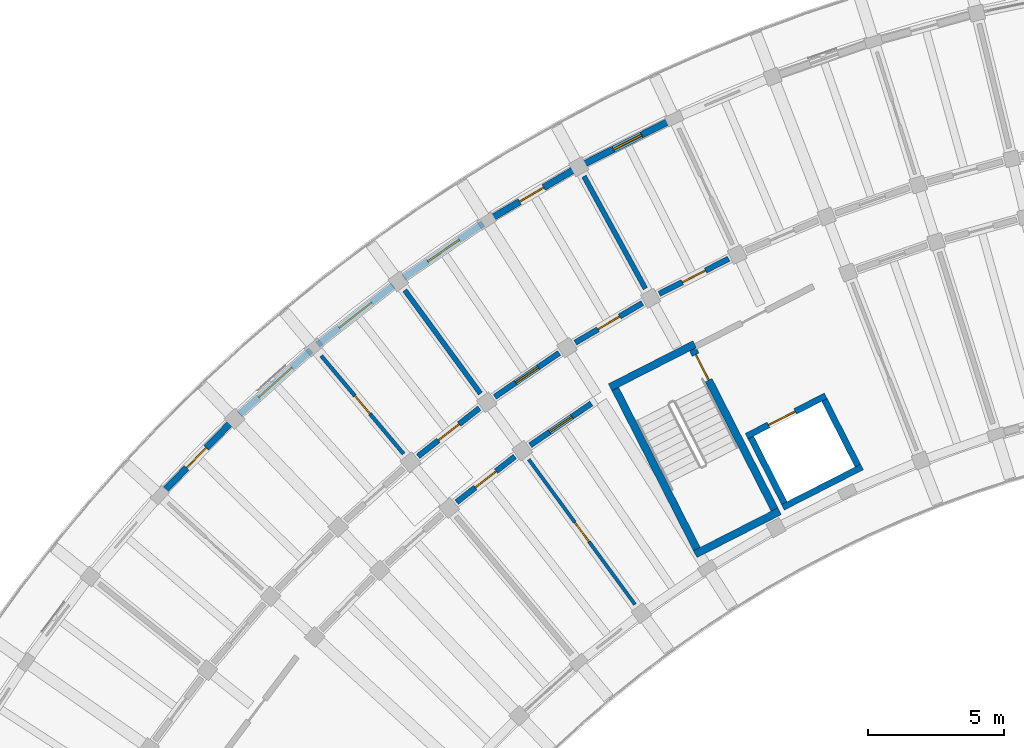
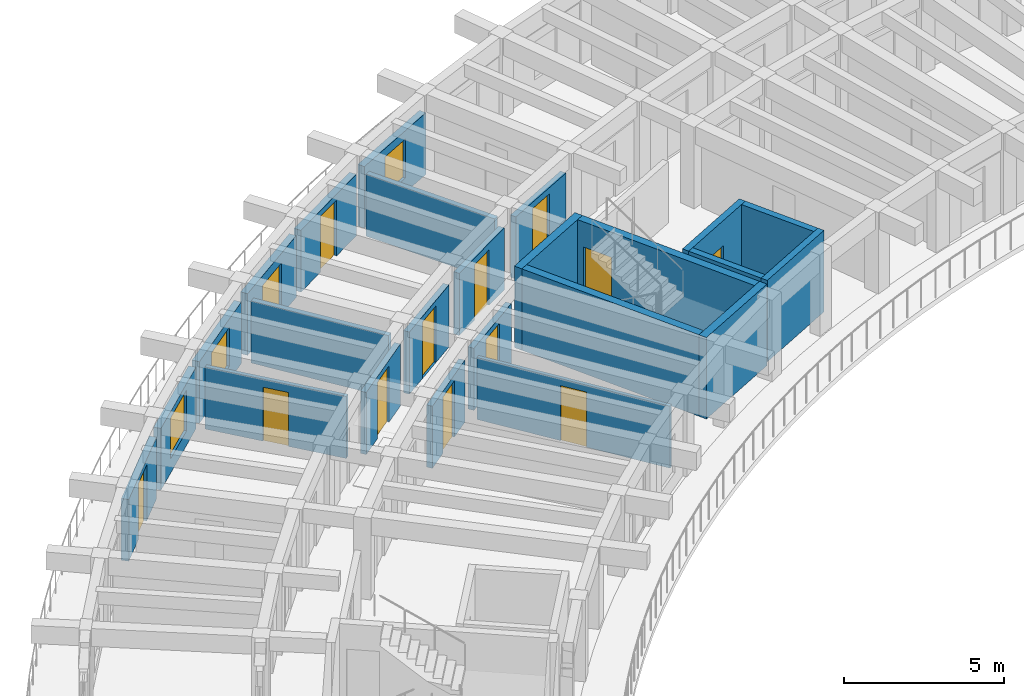
# One storey, part 48 of 81: 24 walls, 12 doors, 4 windows, 16 openings.
"""IFC4 building model written with IfcOpenShell, lengths in metres."""

import ifcopenshell
import ifcopenshell.guid

model = None  # the IFC model being written
_history = None  # IfcOwnerHistory: only IFC2X3 demands one
_inside = {}  # id of a spatial element -> (the spatial element, [elements in it])
_under = {}  # id of a project, library or spatial element -> (it, [spatial elements below it])
_declared = {}  # id of a project -> (the project, [libraries it declares])
_typed = {}  # id of a type object -> (the type object, [elements of that type])
_made_of = {}  # id of a material, layer set ... -> (it, [elements and type objects made of it])


def new_model(schema):
    """Start an empty IFC model of exactly this schema.

    Asked for "IFC4X3", IfcOpenShell would pick the latest addendum, in which some entities
    have other attributes; the version numbers below select the first issue.
    IFC2X3 requires an IfcOwnerHistory on every rooted entity: one is made here for all.
    """
    global model, _history
    if schema == "IFC4X3":
        model = ifcopenshell.file(schema_version=(4, 3, 0, 0))
    else:
        model = ifcopenshell.file(schema=schema)
    _inside.clear()
    _under.clear()
    _declared.clear()
    _typed.clear()
    _made_of.clear()
    _history = None
    if model.schema == "IFC2X3":
        org = make("IfcOrganization", Name="unknown")
        user = make(
            "IfcPersonAndOrganization",
            ThePerson=make("IfcPerson", FamilyName="unknown"),
            TheOrganization=org,
        )
        app = make(
            "IfcApplication",
            ApplicationDeveloper=org,
            Version="unknown",
            ApplicationFullName="unknown",
            ApplicationIdentifier="unknown",
        )
        _history = make(
            "IfcOwnerHistory",
            OwningUser=user,
            OwningApplication=app,
            ChangeAction="ADDED",
            CreationDate=0,
        )
    return model


def make(cls, **values):
    """One entity of the class cls with the attributes given. An attribute that is None is left unset."""
    return model.create_entity(
        cls, **{name: value for name, value in values.items() if value is not None}
    )


def rooted(cls, **values):
    """An entity with a GlobalId (a new one), such as an element, a storey or a relation."""
    return make(cls, GlobalId=ifcopenshell.guid.new(), OwnerHistory=_history, **values)


def si_unit(unit_type, name, prefix=None):
    """IfcSIUnit, for example si_unit("LENGTHUNIT", "METRE", prefix="MILLI")."""
    return make("IfcSIUnit", UnitType=unit_type, Prefix=prefix, Name=name)


def assignment(units):
    """IfcUnitAssignment: the units of a project."""
    return None if units is None else make("IfcUnitAssignment", Units=units)


def point(xyz):
    """IfcCartesianPoint."""
    return None if xyz is None else make("IfcCartesianPoint", Coordinates=xyz)


def direction(xyz):
    """IfcDirection."""
    return None if xyz is None else make("IfcDirection", DirectionRatios=xyz)


def frame(location, z_axis=None, x_axis=None):
    """IfcAxis2Placement3D, a coordinate frame: its origin and axes. An axis left out is left unset."""
    return make(
        "IfcAxis2Placement3D",
        Location=point(location),
        Axis=direction(z_axis),
        RefDirection=direction(x_axis),
    )


def frame_2d(location, x_axis=None):
    """IfcAxis2Placement2D, a coordinate frame in the plane: its origin and x axis."""
    return make(
        "IfcAxis2Placement2D", Location=point(location), RefDirection=direction(x_axis)
    )


def origin():
    """The frame at (0, 0, 0) with its axes left unset."""
    return frame((0.0, 0.0, 0.0))


def place(relative_to, where):
    """IfcLocalPlacement: puts the frame where relative to a parent placement (None: the world)."""
    return make(
        "IfcLocalPlacement", PlacementRelTo=relative_to, RelativePlacement=where
    )


def context(
    kind, dimensions, precision=None, world=None, true_north=None, identifier=None
):
    """IfcGeometricRepresentationContext, for example the 3D "Model" context."""
    return make(
        "IfcGeometricRepresentationContext",
        ContextIdentifier=identifier,
        ContextType=kind,
        CoordinateSpaceDimension=dimensions,
        Precision=precision,
        WorldCoordinateSystem=world,
        TrueNorth=true_north,
    )


def subcontext(parent, identifier, kind, view, scale=None):
    """IfcGeometricRepresentationSubContext, for example "Body" below "Model"."""
    return make(
        "IfcGeometricRepresentationSubContext",
        ContextIdentifier=identifier,
        ContextType=kind,
        ParentContext=parent,
        TargetScale=scale,
        TargetView=view,
    )


def project(units=None, contexts=None):
    """IfcProject with its units and contexts."""
    return rooted(
        "IfcProject",
        Name="project",
        RepresentationContexts=contexts,
        UnitsInContext=assignment(units),
    )


def spatial(cls, under=None, at=None, **own):
    """A site, building, storey or space (cls), placed at a placement, below another one or the project."""
    s = rooted(cls, ObjectPlacement=at, **own)
    if under is not None:
        _under.setdefault(under.id(), (under, []))[1].append(s)
    return s


def profile(cls, at=None, kind="AREA", **sizes):
    """A parametric profile (cls). Its sizes go by their IFC names, for example OverallWidth=200.0."""
    return make(cls, ProfileType=kind, Position=at, **sizes)


def rectangle(**sizes):
    """IfcRectangleProfileDef."""
    return profile("IfcRectangleProfileDef", **sizes)


def extrude(swept, where, along, depth):
    """IfcExtrudedAreaSolid: the profile swept, set in the frame where, extruded along a direction by depth."""
    return make(
        "IfcExtrudedAreaSolid",
        SweptArea=swept,
        Position=where,
        ExtrudedDirection=direction(along),
        Depth=depth,
    )


def shape(context_of_items, identifier, shape_type, items):
    """IfcShapeRepresentation: the items that make up one representation, for example the "Body"."""
    return make(
        "IfcShapeRepresentation",
        ContextOfItems=context_of_items,
        RepresentationIdentifier=identifier,
        RepresentationType=shape_type,
        Items=items,
    )


def material(Name=None, Category=None):
    """IfcMaterial."""
    return make("IfcMaterial", Name=Name, Category=Category)


def layer(
    of_material, thickness, ventilated=None, Name=None, Category=None, Priority=None
):
    """IfcMaterialLayer: one layer of a wall or slab, of a material (None: an air gap)."""
    return make(
        "IfcMaterialLayer",
        Material=of_material,
        LayerThickness=thickness,
        IsVentilated=ventilated,
        Name=Name,
        Category=Category,
        Priority=Priority,
    )


def layer_set(layers, Name=None):
    """IfcMaterialLayerSet."""
    return make("IfcMaterialLayerSet", MaterialLayers=layers, LayerSetName=Name)


def made_of(thing, what):
    """Note that an element or type object is made of a material, layer set ...; save() writes the relation."""
    if what is not None:
        _made_of.setdefault(what.id(), (what, []))[1].append(thing)
    return thing


def type_object(cls, material=None, **own):
    """A type object (cls), such as IfcWallType, which elements share."""
    return made_of(rooted(cls, **own), material)


def element(
    cls,
    number,
    at=None,
    inside=None,
    cuts=None,
    type_object=None,
    material=None,
    context=None,
    identifier="Body",
    shape_type=None,
    held_by="IfcProductDefinitionShape",
    body=None,
    shapes=None,
    **own,
):
    """One element of the class cls, such as IfcWall. Its Tag is "e" and its number.

    at: its placement. inside: the storey or other place that contains it. cuts: it is an
    opening in that element (IfcRelVoidsElement). A single representation is given by context,
    identifier, shape_type and body (its items); several are given by shapes. held_by: the class
    of the entity that holds the representations. save() writes the other relations.
    """
    e = rooted(cls, Tag="e%d" % number, ObjectPlacement=at, **own)
    if body is not None:
        shapes = [shape(context, identifier, shape_type, body)]
    if shapes is not None:
        e.Representation = make(held_by, Representations=shapes)
    if inside is not None:
        _inside.setdefault(inside.id(), (inside, []))[1].append(e)
    if cuts is not None:
        rooted(
            "IfcRelVoidsElement", RelatingBuildingElement=cuts, RelatedOpeningElement=e
        )
    if type_object is not None:
        _typed.setdefault(type_object.id(), (type_object, []))[1].append(e)
    return made_of(e, material)


def fill(opening, filler):
    """IfcRelFillsElement: the door or window that sits in an opening."""
    return rooted(
        "IfcRelFillsElement",
        RelatingOpeningElement=opening,
        RelatedBuildingElement=filler,
    )


def aggregate(whole, parts):
    """IfcRelAggregates: a whole, such as a stair, and the parts it consists of."""
    return rooted("IfcRelAggregates", RelatingObject=whole, RelatedObjects=parts)


def save(model, path):
    """Write the relations noted so far, then the file.

    IfcRelAggregates (storeys below a building ...), IfcRelContainedInSpatialStructure (elements
    in a storey), IfcRelDefinesByType, IfcRelAssociatesMaterial and IfcRelDeclares: one each for
    every whole, place, type object, material and project.
    """
    for whole, parts in _under.values():
        aggregate(whole, parts)
    for where, things in _inside.values():
        rooted(
            "IfcRelContainedInSpatialStructure",
            RelatedElements=things,
            RelatingStructure=where,
        )
    for kind, things in _typed.values():
        rooted("IfcRelDefinesByType", RelatedObjects=things, RelatingType=kind)
    for what, things in _made_of.values():
        rooted("IfcRelAssociatesMaterial", RelatedObjects=things, RelatingMaterial=what)
    for by, libraries in _declared.values():
        rooted("IfcRelDeclares", RelatingContext=by, RelatedDefinitions=libraries)
    model.write(path)


model = new_model("IFC4")

# Units and contexts
model_context = context("Model", 3, precision=1e-05, world=origin(), true_north=direction((0.0, 1.0)))
body_context = subcontext(model_context, "Body", "Model", "MODEL_VIEW")
ifc_project = project(units=[si_unit("LENGTHUNIT", "METRE"), si_unit("AREAUNIT", "SQUARE_METRE"), si_unit("VOLUMEUNIT", "CUBIC_METRE"), si_unit("PLANEANGLEUNIT", "RADIAN"), si_unit("MASSUNIT", "GRAM", prefix="KILO")], contexts=[model_context])

# Site, building, storey
site_placement = place(None, origin())
site = spatial("IfcSite", under=ifc_project, at=site_placement, CompositionType="ELEMENT")
building_placement = place(site_placement, origin())
building = spatial("IfcBuilding", under=site, at=building_placement, Name="Tanwirah Colonnade Gardens", CompositionType="ELEMENT")
storey_placement = place(building_placement, frame((0.0, 0.0, 18.919921875)))
storey = spatial("IfcBuildingStorey", under=building, at=storey_placement, Name="L05", CompositionType="ELEMENT", Elevation=18.919921875)

# Wall, opening, window
ifc_material_1 = material(Name="Limestone architectural precast concrete C40/50", Category="masonry")
ifc_layer_1 = layer(ifc_material_1, 0.2451171875)
ifc_layer_set_1 = layer_set([ifc_layer_1], Name="Limestone architectural precast concrete C40/50")
wall_type_1 = type_object("IfcWallType", Name="EW-PC245", PredefinedType="SOLIDWALL", material=ifc_layer_set_1)
wall_1_placement = place(storey_placement, frame((39.794921875, 114.147216796875, 0.0), z_axis=(0.0, 0.0, 1.0), x_axis=(-0.892756700232, -0.450539092855, 0.0)))
wall_1 = element("IfcWall", 1, at=wall_1_placement, inside=storey, type_object=wall_type_1, Name="Block A L05 OUT Precast Facade Wall 5", PredefinedType="SOLIDWALL", context=body_context, shape_type="SweptSolid", body=[
    extrude(rectangle(XDim=3.520751953125, YDim=0.2451171875, at=frame_2d((1.76025390625, 0.0))), origin(), (0.0, 0.0, 1.0), 2.35498046875),
])
opening_1_placement = place(wall_1_placement, frame((1.180419921875, 0.0, 0.550048828125)))
opening_1 = element("IfcOpeningElement", 2, at=opening_1_placement, cuts=wall_1, Name="Opening WIN-U01", PredefinedType="OPENING", context=body_context, shape_type="SweptSolid", body=[
    extrude(rectangle(XDim=1.159912109375, YDim=1.485107421875, at=frame_2d((0.580078125, 0.74267578125))), frame((0.0, 0.132568359375, 0.0), z_axis=(0.0, -1.0, 0.0), x_axis=(1.0, 0.0, 0.0)), (0.0, 0.0, 1.0), 0.26513671875),
])
ifc_material_2 = material(Name="Thermally broken bronze aluminium and solar low-E double glazing", Category="aluminium")
window_type_1 = type_object("IfcWindowType", Name="WIN-U01", PartitioningType="DOUBLE_PANEL_VERTICAL", PredefinedType="WINDOW", material=ifc_material_2)
window_1_placement = place(opening_1_placement, origin())
window_1 = element("IfcWindow", 3, at=window_1_placement, inside=storey, type_object=window_type_1, Name="Facade window A-L05-OUT-05", OverallHeight=1.485107421875, OverallWidth=1.159912109375, PartitioningType="SINGLE_PANEL", PredefinedType="WINDOW", context=body_context, shape_type="SweptSolid", body=[
    extrude(rectangle(XDim=1.159912109375, YDim=1.485107421875, at=frame_2d((0.580078125, 0.74267578125))), frame((0.0, 0.030029296875, 0.0), z_axis=(0.0, -1.0, 0.0), x_axis=(1.0, 0.0, 0.0)), (0.0, 0.0, 1.0), 0.06005859375),
])
fill(opening_1, window_1)

# Wall, opening, door
wall_2_placement = place(storey_placement, frame((36.22216796875, 112.326171875, 0.0), z_axis=(0.0, 0.0, 1.0), x_axis=(-0.861154218161, -0.50834379365, 0.0)))
wall_2 = element("IfcWall", 4, at=wall_2_placement, inside=storey, type_object=wall_type_1, Name="Block A L05 OUT Precast Facade Wall 6", PredefinedType="SOLIDWALL", context=body_context, shape_type="SweptSolid", body=[
    extrude(rectangle(XDim=3.520751953125, YDim=0.2451171875, at=frame_2d((1.76025390625, 0.0))), origin(), (0.0, 0.0, 1.0), 2.35498046875),
])
opening_2_placement = place(wall_2_placement, frame((1.250244140625, 0.0, 0.0)))
opening_2 = element("IfcOpeningElement", 5, at=opening_2_placement, cuts=wall_2, Name="Opening L05-ED024", PredefinedType="OPENING", context=body_context, shape_type="SweptSolid", body=[
    extrude(rectangle(XDim=1.02001953125, YDim=2.139892578125, at=frame_2d((0.510009765625, 1.06982421875))), frame((0.0, 0.132568359375, 0.0), z_axis=(0.0, -1.0, 0.0), x_axis=(1.0, 0.0, 0.0)), (0.0, 0.0, 1.0), 0.26513671875),
])
ifc_material_3 = material(Name="Bronze aluminium glazed balcony door", Category="aluminium")
door_type_1 = type_object("IfcDoorType", Name="ED-BAL102", OperationType="NOTDEFINED", PredefinedType="DOOR", material=ifc_material_3)
door_1_placement = place(opening_2_placement, origin())
door_1 = element("IfcDoor", 6, at=door_1_placement, inside=storey, type_object=door_type_1, Name="Balcony glazed door L05-ED024", OperationType="SINGLE_SWING_RIGHT", OverallHeight=2.139892578125, OverallWidth=1.02001953125, PredefinedType="DOOR", context=body_context, shape_type="SweptSolid", body=[
    extrude(rectangle(XDim=1.02001953125, YDim=2.139892578125, at=frame_2d((0.510009765625, 1.06982421875))), frame((0.0, 0.02490234375, 0.0), z_axis=(0.0, -1.0, 0.0), x_axis=(1.0, 0.0, 0.0)), (0.0, 0.0, 1.0), 0.050048828125),
])
fill(opening_2, door_1)

# Wall, opening, window
wall_3_placement = place(storey_placement, frame((32.92041015625, 110.36474609375, 0.0), z_axis=(0.0, 0.0, 1.0), x_axis=(-0.825745840472, -0.56404238045, 0.0)))
wall_3 = element("IfcWall", 7, at=wall_3_placement, inside=storey, type_object=wall_type_1, Name="Block A L05 OUT Precast Facade Wall 7", PredefinedType="SOLIDWALL", context=body_context, shape_type="SweptSolid", body=[
    extrude(rectangle(XDim=3.520751953125, YDim=0.2451171875, at=frame_2d((1.76025390625, 0.0))), origin(), (0.0, 0.0, 1.0), 2.35498046875),
])
opening_3_placement = place(wall_3_placement, frame((1.060302734375, 0.0, 0.35009765625)))
opening_3 = element("IfcOpeningElement", 8, at=opening_3_placement, cuts=wall_3, Name="Opening WIN-U07", PredefinedType="OPENING", context=body_context, shape_type="SweptSolid", body=[
    extrude(rectangle(XDim=1.39990234375, YDim=1.635009765625, at=frame_2d((0.699951171875, 0.8173828125))), frame((0.0, 0.132568359375, 0.0), z_axis=(0.0, -1.0, 0.0), x_axis=(1.0, 0.0, 0.0)), (0.0, 0.0, 1.0), 0.26513671875),
])
window_type_2 = type_object("IfcWindowType", Name="WIN-U07", PartitioningType="DOUBLE_PANEL_VERTICAL", PredefinedType="WINDOW", material=ifc_material_2)
window_2_placement = place(opening_3_placement, origin())
window_2 = element("IfcWindow", 9, at=window_2_placement, inside=storey, type_object=window_type_2, Name="Facade window A-L05-OUT-07", OverallHeight=1.635009765625, OverallWidth=1.39990234375, PartitioningType="SINGLE_PANEL", PredefinedType="WINDOW", context=body_context, shape_type="SweptSolid", body=[
    extrude(rectangle(XDim=1.39990234375, YDim=1.635009765625, at=frame_2d((0.699951171875, 0.8173828125))), frame((0.0, 0.030029296875, 0.0), z_axis=(0.0, -1.0, 0.0), x_axis=(1.0, 0.0, 0.0)), (0.0, 0.0, 1.0), 0.06005859375),
])
fill(opening_3, window_2)

wall_4_placement = place(storey_placement, frame((29.617919921875, 108.089599609375, 0.0), z_axis=(0.0, 0.0, 1.0), x_axis=(-0.786813798172, -0.617190446301, 0.0)))
wall_4 = element("IfcWall", 10, at=wall_4_placement, inside=storey, type_object=wall_type_1, Name="Block A L05 OUT Precast Facade Wall 8", PredefinedType="SOLIDWALL", context=body_context, shape_type="SweptSolid", body=[
    extrude(rectangle(XDim=3.5205078125, YDim=0.2451171875, at=frame_2d((1.76025390625, 0.0))), origin(), (0.0, 0.0, 1.0), 2.35498046875),
])
opening_4_placement = place(wall_4_placement, frame((1.000244140625, 0.0, 0.550048828125)))
opening_4 = element("IfcOpeningElement", 11, at=opening_4_placement, cuts=wall_4, Name="Opening WIN-U10", PredefinedType="OPENING", context=body_context, shape_type="SweptSolid", body=[
    extrude(rectangle(XDim=1.52001953125, YDim=1.485107421875, at=frame_2d((0.760009765625, 0.74267578125))), frame((0.0, 0.132568359375, 0.0), z_axis=(0.0, -1.0, 0.0), x_axis=(1.0, 0.0, 0.0)), (0.0, 0.0, 1.0), 0.26513671875),
])
window_type_3 = type_object("IfcWindowType", Name="WIN-U10", PartitioningType="DOUBLE_PANEL_VERTICAL", PredefinedType="WINDOW", material=ifc_material_2)
window_3_placement = place(opening_4_placement, origin())
window_3 = element("IfcWindow", 12, at=window_3_placement, inside=storey, type_object=window_type_3, Name="Facade window A-L05-OUT-08", OverallHeight=1.485107421875, OverallWidth=1.52001953125, PartitioningType="SINGLE_PANEL", PredefinedType="WINDOW", context=body_context, shape_type="SweptSolid", body=[
    extrude(rectangle(XDim=1.52001953125, YDim=1.485107421875, at=frame_2d((0.760009765625, 0.74267578125))), frame((0.0, 0.030029296875, 0.0), z_axis=(0.0, -1.0, 0.0), x_axis=(1.0, 0.0, 0.0)), (0.0, 0.0, 1.0), 0.06005859375),
])
fill(opening_4, window_3)

wall_5_placement = place(storey_placement, frame((26.602783203125, 105.711181640625, 0.0), z_axis=(0.0, 0.0, 1.0), x_axis=(-0.744413726571, -0.667718656092, 0.0)))
wall_5 = element("IfcWall", 13, at=wall_5_placement, inside=storey, type_object=wall_type_1, Name="Block A L05 OUT Precast Facade Wall 9", PredefinedType="SOLIDWALL", context=body_context, shape_type="SweptSolid", body=[
    extrude(rectangle(XDim=3.520751953125, YDim=0.2451171875, at=frame_2d((1.76025390625, 0.0))), origin(), (0.0, 0.0, 1.0), 2.35498046875),
])
opening_5_placement = place(wall_5_placement, frame((0.940185546875, 0.0, 0.550048828125)))
opening_5 = element("IfcOpeningElement", 14, at=opening_5_placement, cuts=wall_5, Name="Opening WIN-U13", PredefinedType="OPENING", context=body_context, shape_type="SweptSolid", body=[
    extrude(rectangle(XDim=1.639892578125, YDim=1.56005859375, at=frame_2d((0.81982421875, 0.780029296875))), frame((0.0, 0.132568359375, 0.0), z_axis=(0.0, -1.0, 0.0), x_axis=(1.0, 0.0, 0.0)), (0.0, 0.0, 1.0), 0.26513671875),
])
window_type_4 = type_object("IfcWindowType", Name="WIN-U13", PartitioningType="DOUBLE_PANEL_VERTICAL", PredefinedType="WINDOW", material=ifc_material_2)
window_4_placement = place(opening_5_placement, origin())
window_4 = element("IfcWindow", 15, at=window_4_placement, inside=storey, type_object=window_type_4, Name="Facade window A-L05-OUT-09", OverallHeight=1.56005859375, OverallWidth=1.639892578125, PartitioningType="SINGLE_PANEL", PredefinedType="WINDOW", context=body_context, shape_type="SweptSolid", body=[
    extrude(rectangle(XDim=1.639892578125, YDim=1.56005859375, at=frame_2d((0.81982421875, 0.780029296875))), frame((0.0, 0.030029296875, 0.0), z_axis=(0.0, -1.0, 0.0), x_axis=(1.0, 0.0, 0.0)), (0.0, 0.0, 1.0), 0.06005859375),
])
fill(opening_5, window_4)

# Wall, opening, door
wall_6_placement = place(storey_placement, frame((23.62841796875, 103.021484375, 0.0), z_axis=(0.0, 0.0, 1.0), x_axis=(-0.698841852324, -0.715276216186, 0.0)))
wall_6 = element("IfcWall", 16, at=wall_6_placement, inside=storey, type_object=wall_type_1, Name="Block A L05 OUT Precast Facade Wall 10", PredefinedType="SOLIDWALL", context=body_context, shape_type="SweptSolid", body=[
    extrude(rectangle(XDim=3.520751953125, YDim=0.2451171875, at=frame_2d((1.76025390625, 0.0))), origin(), (0.0, 0.0, 1.0), 2.35498046875),
])
opening_6_placement = place(wall_6_placement, frame((1.250244140625, 0.0, 0.0)))
opening_6 = element("IfcOpeningElement", 17, at=opening_6_placement, cuts=wall_6, Name="Opening L05-ED025", PredefinedType="OPENING", context=body_context, shape_type="SweptSolid", body=[
    extrude(rectangle(XDim=1.02001953125, YDim=2.139892578125, at=frame_2d((0.510009765625, 1.06982421875))), frame((0.0, 0.132568359375, 0.0), z_axis=(0.0, -1.0, 0.0), x_axis=(1.0, 0.0, 0.0)), (0.0, 0.0, 1.0), 0.26513671875),
])
door_2_placement = place(opening_6_placement, origin())
door_2 = element("IfcDoor", 18, at=door_2_placement, inside=storey, type_object=door_type_1, Name="Balcony glazed door L05-ED025", OperationType="SINGLE_SWING_RIGHT", OverallHeight=2.139892578125, OverallWidth=1.02001953125, PredefinedType="DOOR", context=body_context, shape_type="SweptSolid", body=[
    extrude(rectangle(XDim=1.02001953125, YDim=2.139892578125, at=frame_2d((0.510009765625, 1.06982421875))), frame((0.0, 0.02490234375, 0.0), z_axis=(0.0, -1.0, 0.0), x_axis=(1.0, 0.0, 0.0)), (0.0, 0.0, 1.0), 0.050048828125),
])
fill(opening_6, door_2)

ifc_material_4 = material(Name="Precast concrete C40/50", Category="concrete")
ifc_layer_2 = layer(ifc_material_4, 0.205078125)
ifc_layer_set_2 = layer_set([ifc_layer_2], Name="Precast concrete C40/50")
wall_type_2 = type_object("IfcWallType", Name="IW-CORR205", PredefinedType="PARTITIONING", material=ifc_layer_set_2)
wall_7_placement = place(storey_placement, frame((41.93994140625, 109.072509765625, 0.0), z_axis=(0.0, 0.0, 1.0), x_axis=(-0.89273239336, -0.450587254419, 0.0)))
wall_7 = element("IfcWall", 19, at=wall_7_placement, inside=storey, type_object=wall_type_2, Name="Block A L05 OUT Corridor Wall 5", PredefinedType="PARTITIONING", context=body_context, shape_type="SweptSolid", body=[
    extrude(rectangle(XDim=2.863037109375, YDim=0.205078125, at=frame_2d((1.431640625, 0.0))), origin(), (0.0, 0.0, 1.0), 2.3701171875),
])
opening_7_placement = place(wall_7_placement, frame((0.95654296875, 0.0, 0.0)))
opening_7 = element("IfcOpeningElement", 20, at=opening_7_placement, cuts=wall_7, Name="Opening L05-AD444", PredefinedType="OPENING", context=body_context, shape_type="SweptSolid", body=[
    extrude(rectangle(XDim=0.949951171875, YDim=2.1298828125, at=frame_2d((0.47509765625, 1.06494140625))), frame((0.0, 0.112548828125, 0.0), z_axis=(0.0, -1.0, 0.0), x_axis=(1.0, 0.0, 0.0)), (0.0, 0.0, 1.0), 0.22509765625),
])
ifc_material_5 = material(Name="Solid oak fire-resisting apartment entrance door")
door_type_2 = type_object("IfcDoorType", Name="ID-FLT095", OperationType="NOTDEFINED", PredefinedType="DOOR", material=ifc_material_5)
door_3_placement = place(opening_7_placement, origin())
door_3 = element("IfcDoor", 21, at=door_3_placement, inside=storey, type_object=door_type_2, Name="Apartment corridor door L05-AD444", OperationType="SINGLE_SWING_LEFT", OverallHeight=2.1298828125, OverallWidth=0.949951171875, PredefinedType="DOOR", context=body_context, shape_type="SweptSolid", body=[
    extrude(rectangle(XDim=0.949951171875, YDim=2.1298828125, at=frame_2d((0.47509765625, 1.06494140625))), frame((0.0, 0.02490234375, 0.0), z_axis=(0.0, -1.0, 0.0), x_axis=(1.0, 0.0, 0.0)), (0.0, 0.0, 1.0), 0.050048828125),
])
fill(opening_7, door_3)

wall_8_placement = place(storey_placement, frame((38.77001953125, 107.447021484375, 0.0), z_axis=(0.0, 0.0, 1.0), x_axis=(-0.861113214678, -0.508413248753, 0.0)))
wall_8 = element("IfcWall", 22, at=wall_8_placement, inside=storey, type_object=wall_type_2, Name="Block A L05 OUT Corridor Wall 6", PredefinedType="PARTITIONING", context=body_context, shape_type="SweptSolid", body=[
    extrude(rectangle(XDim=2.863037109375, YDim=0.205078125, at=frame_2d((1.431640625, 0.0))), origin(), (0.0, 0.0, 1.0), 2.3701171875),
])
opening_8_placement = place(wall_8_placement, frame((0.966552734375, 0.0, 0.0)))
opening_8 = element("IfcOpeningElement", 23, at=opening_8_placement, cuts=wall_8, Name="Opening L05-AD445", PredefinedType="OPENING", context=body_context, shape_type="SweptSolid", body=[
    extrude(rectangle(XDim=0.929931640625, YDim=2.1201171875, at=frame_2d((0.46484375, 1.06005859375))), frame((0.0, 0.112548828125, 0.0), z_axis=(0.0, -1.0, 0.0), x_axis=(1.0, 0.0, 0.0)), (0.0, 0.0, 1.0), 0.22509765625),
])
door_type_3 = type_object("IfcDoorType", Name="ID-FLT093", OperationType="NOTDEFINED", PredefinedType="DOOR", material=ifc_material_5)
door_4_placement = place(opening_8_placement, origin())
door_4 = element("IfcDoor", 24, at=door_4_placement, inside=storey, type_object=door_type_3, Name="Apartment corridor door L05-AD445", OperationType="SINGLE_SWING_RIGHT", OverallHeight=2.1201171875, OverallWidth=0.929931640625, PredefinedType="DOOR", context=body_context, shape_type="SweptSolid", body=[
    extrude(rectangle(XDim=0.929931640625, YDim=2.1201171875, at=frame_2d((0.46484375, 1.06005859375))), frame((0.0, 0.02490234375, 0.0), z_axis=(0.0, -1.0, 0.0), x_axis=(1.0, 0.0, 0.0)), (0.0, 0.0, 1.0), 0.050048828125),
])
fill(opening_8, door_4)

wall_9_placement = place(storey_placement, frame((35.714111328125, 105.615966796875, 0.0), z_axis=(0.0, 0.0, 1.0), x_axis=(-0.825779671787, -0.563992848947, 0.0)))
wall_9 = element("IfcWall", 25, at=wall_9_placement, inside=storey, type_object=wall_type_2, Name="Block A L05 OUT Corridor Wall 7", PredefinedType="PARTITIONING", context=body_context, shape_type="SweptSolid", body=[
    extrude(rectangle(XDim=2.863037109375, YDim=0.205078125, at=frame_2d((1.431640625, 0.0))), origin(), (0.0, 0.0, 1.0), 2.3701171875),
])
opening_9_placement = place(wall_9_placement, frame((0.9365234375, 0.0, 0.0)))
opening_9 = element("IfcOpeningElement", 26, at=opening_9_placement, cuts=wall_9, Name="Opening L05-AD446", PredefinedType="OPENING", context=body_context, shape_type="SweptSolid", body=[
    extrude(rectangle(XDim=0.989990234375, YDim=2.159912109375, at=frame_2d((0.4951171875, 1.080078125))), frame((0.0, 0.112548828125, 0.0), z_axis=(0.0, -1.0, 0.0), x_axis=(1.0, 0.0, 0.0)), (0.0, 0.0, 1.0), 0.22509765625),
])
door_type_4 = type_object("IfcDoorType", Name="ID-FLT099", OperationType="NOTDEFINED", PredefinedType="DOOR", material=ifc_material_5)
door_5_placement = place(opening_9_placement, origin())
door_5 = element("IfcDoor", 27, at=door_5_placement, inside=storey, type_object=door_type_4, Name="Apartment corridor door L05-AD446", OperationType="SINGLE_SWING_LEFT", OverallHeight=2.159912109375, OverallWidth=0.989990234375, PredefinedType="DOOR", context=body_context, shape_type="SweptSolid", body=[
    extrude(rectangle(XDim=0.989990234375, YDim=2.159912109375, at=frame_2d((0.4951171875, 1.080078125))), frame((0.0, 0.02490234375, 0.0), z_axis=(0.0, -1.0, 0.0), x_axis=(1.0, 0.0, 0.0)), (0.0, 0.0, 1.0), 0.050048828125),
])
fill(opening_9, door_5)

wall_10_placement = place(storey_placement, frame((36.89453125, 103.759521484375, 0.0), z_axis=(0.0, 0.0, 1.0), x_axis=(-0.825752009056, -0.56403334967, 0.0)))
wall_10 = element("IfcWall", 28, at=wall_10_placement, inside=storey, type_object=wall_type_2, Name="Block A L05 IN Corridor Wall 7", PredefinedType="PARTITIONING", context=body_context, shape_type="SweptSolid", body=[
    extrude(rectangle(XDim=2.71826171875, YDim=0.205078125, at=frame_2d((1.359130859375, 0.0))), origin(), (0.0, 0.0, 1.0), 2.3701171875),
])
opening_10_placement = place(wall_10_placement, frame((0.864013671875, 0.0, 0.0)))
opening_10 = element("IfcOpeningElement", 29, at=opening_10_placement, cuts=wall_10, Name="Opening L05-AD447", PredefinedType="OPENING", context=body_context, shape_type="SweptSolid", body=[
    extrude(rectangle(XDim=0.989990234375, YDim=2.159912109375, at=frame_2d((0.4951171875, 1.080078125))), frame((0.0, 0.112548828125, 0.0), z_axis=(0.0, -1.0, 0.0), x_axis=(1.0, 0.0, 0.0)), (0.0, 0.0, 1.0), 0.22509765625),
])
door_6_placement = place(opening_10_placement, origin())
door_6 = element("IfcDoor", 30, at=door_6_placement, inside=storey, type_object=door_type_4, Name="Apartment corridor door L05-AD447", OperationType="SINGLE_SWING_RIGHT", OverallHeight=2.159912109375, OverallWidth=0.989990234375, PredefinedType="DOOR", context=body_context, shape_type="SweptSolid", body=[
    extrude(rectangle(XDim=0.989990234375, YDim=2.159912109375, at=frame_2d((0.4951171875, 1.080078125))), frame((0.0, 0.02490234375, 0.0), z_axis=(0.0, -1.0, 0.0), x_axis=(1.0, 0.0, 0.0)), (0.0, 0.0, 1.0), 0.050048828125),
])
fill(opening_10, door_6)

wall_11_placement = place(storey_placement, frame((32.785400390625, 103.587890625, 0.0), z_axis=(0.0, 0.0, 1.0), x_axis=(-0.786806323554, -0.617199975061, 0.0)))
wall_11 = element("IfcWall", 31, at=wall_11_placement, inside=storey, type_object=wall_type_2, Name="Block A L05 OUT Corridor Wall 8", PredefinedType="PARTITIONING", context=body_context, shape_type="SweptSolid", body=[
    extrude(rectangle(XDim=2.863037109375, YDim=0.205078125, at=frame_2d((1.431640625, 0.0))), origin(), (0.0, 0.0, 1.0), 2.3701171875),
])
opening_11_placement = place(wall_11_placement, frame((0.946533203125, 0.0, 0.0)))
opening_11 = element("IfcOpeningElement", 32, at=opening_11_placement, cuts=wall_11, Name="Opening L05-AD449", PredefinedType="OPENING", context=body_context, shape_type="SweptSolid", body=[
    extrude(rectangle(XDim=0.969970703125, YDim=2.14990234375, at=frame_2d((0.48486328125, 1.074951171875))), frame((0.0, 0.112548828125, 0.0), z_axis=(0.0, -1.0, 0.0), x_axis=(1.0, 0.0, 0.0)), (0.0, 0.0, 1.0), 0.22509765625),
])
door_type_5 = type_object("IfcDoorType", Name="ID-FLT097", OperationType="NOTDEFINED", PredefinedType="DOOR", material=ifc_material_5)
door_7_placement = place(opening_11_placement, origin())
door_7 = element("IfcDoor", 33, at=door_7_placement, inside=storey, type_object=door_type_5, Name="Apartment corridor door L05-AD449", OperationType="SINGLE_SWING_RIGHT", OverallHeight=2.14990234375, OverallWidth=0.969970703125, PredefinedType="DOOR", context=body_context, shape_type="SweptSolid", body=[
    extrude(rectangle(XDim=0.969970703125, YDim=2.14990234375, at=frame_2d((0.48486328125, 1.074951171875))), frame((0.0, 0.02490234375, 0.0), z_axis=(0.0, -1.0, 0.0), x_axis=(1.0, 0.0, 0.0)), (0.0, 0.0, 1.0), 0.050048828125),
])
fill(opening_11, door_7)

wall_12_placement = place(storey_placement, frame((34.08544921875, 101.81298828125, 0.0), z_axis=(0.0, 0.0, 1.0), x_axis=(-0.786835457019, -0.617162833924, 0.0)))
wall_12 = element("IfcWall", 34, at=wall_12_placement, inside=storey, type_object=wall_type_2, Name="Block A L05 IN Corridor Wall 8", PredefinedType="PARTITIONING", context=body_context, shape_type="SweptSolid", body=[
    extrude(rectangle(XDim=2.718017578125, YDim=0.205078125, at=frame_2d((1.35888671875, 0.0))), origin(), (0.0, 0.0, 1.0), 2.3701171875),
])
opening_12_placement = place(wall_12_placement, frame((0.8740234375, 0.0, 0.0)))
opening_12 = element("IfcOpeningElement", 35, at=opening_12_placement, cuts=wall_12, Name="Opening L05-AD450", PredefinedType="OPENING", context=body_context, shape_type="SweptSolid", body=[
    extrude(rectangle(XDim=0.969970703125, YDim=2.14990234375, at=frame_2d((0.48486328125, 1.074951171875))), frame((0.0, 0.112548828125, 0.0), z_axis=(0.0, -1.0, 0.0), x_axis=(1.0, 0.0, 0.0)), (0.0, 0.0, 1.0), 0.22509765625),
])
door_8_placement = place(opening_12_placement, origin())
door_8 = element("IfcDoor", 36, at=door_8_placement, inside=storey, type_object=door_type_5, Name="Apartment corridor door L05-AD450", OperationType="SINGLE_SWING_LEFT", OverallHeight=2.14990234375, OverallWidth=0.969970703125, PredefinedType="DOOR", context=body_context, shape_type="SweptSolid", body=[
    extrude(rectangle(XDim=0.969970703125, YDim=2.14990234375, at=frame_2d((0.48486328125, 1.074951171875))), frame((0.0, 0.02490234375, 0.0), z_axis=(0.0, -1.0, 0.0), x_axis=(1.0, 0.0, 0.0)), (0.0, 0.0, 1.0), 0.050048828125),
])
fill(opening_12, door_8)

# Walls
ifc_layer_3 = layer(ifc_material_4, 0.18505859375)
ifc_layer_set_3 = layer_set([ifc_layer_3], Name="Precast concrete C40/50")
wall_type_3 = type_object("IfcWallType", Name="IW-DEM185", PredefinedType="PARTITIONING", material=ifc_layer_set_3)
wall_13_placement = place(storey_placement, frame((38.879638671875, 107.975830078125, 0.0), z_axis=(0.0, 0.0, 1.0), x_axis=(-0.479721743761, 0.877420679357, 0.0)))
element("IfcWall", 37, at=wall_13_placement, inside=storey, type_object=wall_type_3, Name="Block A L05 Radial Partition 5", PredefinedType="PARTITIONING", context=body_context, shape_type="SweptSolid", body=[
    extrude(rectangle(XDim=4.699951171875, YDim=0.18505859375, at=frame_2d((2.35009765625, 0.0))), origin(), (0.0, 0.0, 1.0), 2.3701171875),
])
wall_14_placement = place(storey_placement, frame((32.824462890625, 104.12646484375, 0.0), z_axis=(0.0, 0.0, 1.0), x_axis=(-0.590910940129, 0.806736797745, 0.0)))
element("IfcWall", 38, at=wall_14_placement, inside=storey, type_object=wall_type_3, Name="Block A L05 Radial Partition 7", PredefinedType="PARTITIONING", context=body_context, shape_type="SweptSolid", body=[
    extrude(rectangle(XDim=4.7001953125, YDim=0.18505859375, at=frame_2d((2.35009765625, 0.0))), origin(), (0.0, 0.0, 1.0), 2.3701171875),
])

# Wall, opening, door
ifc_material_6 = material(Name="Moisture-resistant gypsum stud partition")
ifc_layer_4 = layer(ifc_material_6, 0.125)
ifc_layer_set_4 = layer_set([ifc_layer_4], Name="Moisture-resistant gypsum stud partition")
wall_type_4 = type_object("IfcWallType", Name="IW-INT125", PredefinedType="PARTITIONING", material=ifc_layer_set_4)
wall_15_placement = place(storey_placement, frame((38.497314453125, 96.3818359375, 0.0), z_axis=(0.0, 0.0, 1.0), x_axis=(-0.590924179316, 0.806727100263, 0.0)))
wall_15 = element("IfcWall", 39, at=wall_15_placement, inside=storey, type_object=wall_type_4, Name="Block A L05 Inner Radial Partition 7", PredefinedType="PARTITIONING", context=body_context, shape_type="SweptSolid", body=[
    extrude(rectangle(XDim=6.60009765625, YDim=0.125, at=frame_2d((3.300048828125, 0.0))), origin(), (0.0, 0.0, 1.0), 2.3701171875),
])
opening_13_placement = place(wall_15_placement, frame((2.85498046875, 0.0, 0.0)))
opening_13 = element("IfcOpeningElement", 40, at=opening_13_placement, cuts=wall_15, Name="Opening L05-RD448", PredefinedType="OPENING", context=body_context, shape_type="SweptSolid", body=[
    extrude(rectangle(XDim=0.889892578125, YDim=2.10009765625, at=frame_2d((0.44482421875, 1.050048828125))), frame((0.0, 0.072509765625, 0.0), z_axis=(0.0, -1.0, 0.0), x_axis=(1.0, 0.0, 0.0)), (0.0, 0.0, 1.0), 0.14501953125),
])
ifc_material_7 = material(Name="Painted hardwood bedroom door", Category="wood")
door_type_6 = type_object("IfcDoorType", Name="ID-RM089", OperationType="NOTDEFINED", PredefinedType="DOOR", material=ifc_material_7)
door_9_placement = place(opening_13_placement, origin())
door_9 = element("IfcDoor", 41, at=door_9_placement, inside=storey, type_object=door_type_6, Name="Internal apartment door L05-RD448", OperationType="SINGLE_SWING_RIGHT", OverallHeight=2.10009765625, OverallWidth=0.889892578125, PredefinedType="DOOR", context=body_context, shape_type="SweptSolid", body=[
    extrude(rectangle(XDim=0.889892578125, YDim=2.10009765625, at=frame_2d((0.44482421875, 1.050048828125))), frame((0.0, 0.02490234375, 0.0), z_axis=(0.0, -1.0, 0.0), x_axis=(1.0, 0.0, 0.0)), (0.0, 0.0, 1.0), 0.050048828125),
])
fill(opening_13, door_9)

ifc_material_8 = material(Name="Water-resistant acoustic plumbing partition")
ifc_layer_5 = layer(ifc_material_8, 0.139892578125)
ifc_layer_set_5 = layer_set([ifc_layer_5], Name="Water-resistant acoustic plumbing partition")
wall_type_5 = type_object("IfcWallType", Name="IW-WET140", PredefinedType="PLUMBINGWALL", material=ifc_layer_set_5)
wall_16_placement = place(storey_placement, frame((30.000244140625, 101.9111328125, 0.0), z_axis=(0.0, 0.0, 1.0), x_axis=(-0.642811926223, 0.766024038465, 0.0)))
wall_16 = element("IfcWall", 42, at=wall_16_placement, inside=storey, type_object=wall_type_5, Name="Block A L05 Radial Partition 8", PredefinedType="PLUMBINGWALL", context=body_context, shape_type="SweptSolid", body=[
    extrude(rectangle(XDim=4.699951171875, YDim=0.139892578125, at=frame_2d((2.35009765625, 0.0))), origin(), (0.0, 0.0, 1.0), 2.3701171875),
])
opening_14_placement = place(wall_16_placement, frame((1.919921875, 0.0, 0.0)))
opening_14 = element("IfcOpeningElement", 43, at=opening_14_placement, cuts=wall_16, Name="Opening L05-RD451", PredefinedType="OPENING", context=body_context, shape_type="SweptSolid", body=[
    extrude(rectangle(XDim=0.860107421875, YDim=2.06005859375, at=frame_2d((0.43017578125, 1.030029296875))), frame((0.0, 0.079833984375, 0.0), z_axis=(0.0, -1.0, 0.0), x_axis=(1.0, 0.0, 0.0)), (0.0, 0.0, 1.0), 0.159912109375),
])
ifc_material_9 = material(Name="Moisture-resistant bathroom door")
door_type_7 = type_object("IfcDoorType", Name="ID-WET086", OperationType="NOTDEFINED", PredefinedType="DOOR", material=ifc_material_9)
door_10_placement = place(opening_14_placement, origin())
door_10 = element("IfcDoor", 44, at=door_10_placement, inside=storey, type_object=door_type_7, Name="Internal apartment door L05-RD451", OperationType="SINGLE_SWING_RIGHT", OverallHeight=2.06005859375, OverallWidth=0.860107421875, PredefinedType="DOOR", context=body_context, shape_type="SweptSolid", body=[
    extrude(rectangle(XDim=0.860107421875, YDim=2.06005859375, at=frame_2d((0.43017578125, 1.030029296875))), frame((0.0, 0.02490234375, 0.0), z_axis=(0.0, -1.0, 0.0), x_axis=(1.0, 0.0, 0.0)), (0.0, 0.0, 1.0), 0.050048828125),
])
fill(opening_14, door_10)

# Walls
ifc_material_10 = material(Name="Concrete C45/55", Category="concrete")
ifc_layer_6 = layer(ifc_material_10, 0.280029296875)
ifc_layer_set_6 = layer_set([ifc_layer_6], Name="Concrete C45/55")
wall_type_6 = type_object("IfcWallType", Name="SW-CORE280", PredefinedType="SHEAR", material=ifc_layer_set_6)
wall_17_placement = place(storey_placement, frame((37.7734375, 104.295654296875, 0.0), z_axis=(0.0, 0.0, 1.0), x_axis=(0.453992276384, -0.891005618941, 0.0)))
element("IfcWall", 45, at=wall_17_placement, inside=storey, type_object=wall_type_6, Name="CORE-A1 L05 Stair Shaft Shear Wall LEFT", PredefinedType="SHEAR", context=body_context, shape_type="SweptSolid", body=[
    extrude(rectangle(XDim=6.599853515625, YDim=0.280029296875, at=frame_2d((3.2998046875, 0.0))), origin(), (0.0, 0.0, 1.0), 3.110107421875),
])
for number, where, z_axis, x_axis, name in (
    (46, (40.708740234375, 98.2265625, 0.0), (0.0, 0.0, 1.0), (0.891005763861, 0.453991991964, 0.0), "CORE-A1 L05 Stair Shaft Shear Wall FAR"),
    (47, (37.585205078125, 104.356689453125, 0.0), (0.0, 0.0, 1.0), (0.891020222667, 0.453963613958, 0.0), "CORE-A1 L05 Stair Shaft Shear Wall NEAR"),
):
    element("IfcWall", number, at=place(storey_placement, frame(where, z_axis=z_axis, x_axis=x_axis)), inside=storey, type_object=wall_type_6, Name=name, PredefinedType="SHEAR", context=body_context, shape_type="SweptSolid", body=[
        extrude(rectangle(XDim=3.47998046875, YDim=0.280029296875, at=frame_2d((1.739990234375, 0.0))), origin(), (0.0, 0.0, 1.0), 3.110107421875),
    ])

# Wall, opening, door
wall_18_placement = place(storey_placement, frame((40.624755859375, 105.748291015625, 0.0), z_axis=(0.0, 0.0, 1.0), x_axis=(0.453992276384, -0.891005618941, 0.0)))
wall_18 = element("IfcWall", 48, at=wall_18_placement, inside=storey, type_object=wall_type_6, Name="CORE-A1 L05 Stair Shaft Shear Wall RIGHT", PredefinedType="SHEAR", context=body_context, shape_type="SweptSolid", body=[
    extrude(rectangle(XDim=6.599853515625, YDim=0.280029296875, at=frame_2d((3.2998046875, 0.0))), origin(), (0.0, 0.0, 1.0), 3.110107421875),
])
opening_15_placement = place(wall_18_placement, frame((0.219970703125, 0.0, 0.0)))
opening_15 = element("IfcOpeningElement", 49, at=opening_15_placement, cuts=wall_18, Name="Opening L05-SD007", PredefinedType="OPENING", context=body_context, shape_type="SweptSolid", body=[
    extrude(rectangle(XDim=1.050048828125, YDim=2.14990234375, at=frame_2d((0.52490234375, 1.074951171875))), frame((0.0, 0.14990234375, 0.0), z_axis=(0.0, -1.0, 0.0), x_axis=(1.0, 0.0, 0.0)), (0.0, 0.0, 1.0), 0.300048828125),
])
ifc_material_11 = material(Name="Steel fire-resisting stair enclosure door", Category="steel")
door_type_8 = type_object("IfcDoorType", Name="ID-ST105", OperationType="NOTDEFINED", PredefinedType="DOOR", material=ifc_material_11)
door_11_placement = place(opening_15_placement, origin())
door_11 = element("IfcDoor", 50, at=door_11_placement, inside=storey, type_object=door_type_8, Name="CORE-A1 L05 Stair Fire Door L05-SD007", OperationType="SINGLE_SWING_RIGHT", OverallHeight=2.14990234375, OverallWidth=1.050048828125, PredefinedType="DOOR", context=body_context, shape_type="SweptSolid", body=[
    extrude(rectangle(XDim=1.050048828125, YDim=2.14990234375, at=frame_2d((0.52490234375, 1.074951171875))), frame((0.0, 0.02490234375, 0.0), z_axis=(0.0, -1.0, 0.0), x_axis=(1.0, 0.0, 0.0)), (0.0, 0.0, 1.0), 0.050048828125),
])
fill(opening_15, door_11)

ifc_layer_7 = layer(ifc_material_10, 0.22998046875)
ifc_layer_set_7 = layer_set([ifc_layer_7], Name="Concrete C45/55")
wall_type_7 = type_object("IfcWallType", Name="SW-LIFT230", PredefinedType="SHEAR", material=ifc_layer_set_7)
wall_19_placement = place(storey_placement, frame((42.5966796875, 102.561279296875, 0.0), z_axis=(0.0, 0.0, 1.0), x_axis=(0.891001200497, 0.454000947921, 0.0)))
wall_19 = element("IfcWall", 51, at=wall_19_placement, inside=storey, type_object=wall_type_7, Name="CORE-A1 L05 Lift Shaft Wall FRONT", PredefinedType="SHEAR", context=body_context, shape_type="SweptSolid", body=[
    extrude(rectangle(XDim=3.259765625, YDim=0.22998046875, at=frame_2d((1.6298828125, 0.0))), origin(), (0.0, 0.0, 1.0), 3.110107421875),
])
opening_16_placement = place(wall_19_placement, frame((0.89990234375, 0.0, 0.0)))
opening_16 = element("IfcOpeningElement", 52, at=opening_16_placement, cuts=wall_19, Name="Opening L05-LD-FL-A1", PredefinedType="OPENING", context=body_context, shape_type="SweptSolid", body=[
    extrude(rectangle(XDim=1.10009765625, YDim=2.14990234375, at=frame_2d((0.550048828125, 1.074951171875))), frame((0.0, 0.125, 0.0), z_axis=(0.0, -1.0, 0.0), x_axis=(1.0, 0.0, 0.0)), (0.0, 0.0, 1.0), 0.25),
])
ifc_material_12 = material(Name="Stainless steel sliding fire lift landing door", Category="steel")
door_type_9 = type_object("IfcDoorType", Name="LD-FF11", OperationType="DOUBLE_DOOR_SLIDING", PredefinedType="DOOR", material=ifc_material_12)
door_12_placement = place(opening_16_placement, origin())
door_12 = element("IfcDoor", 53, at=door_12_placement, inside=storey, type_object=door_type_9, Name="Lift FL-A1 L05 Sliding Landing Door", OperationType="DOUBLE_DOOR_SLIDING", OverallHeight=2.14990234375, OverallWidth=1.10009765625, PredefinedType="DOOR", context=body_context, shape_type="SweptSolid", body=[
    extrude(rectangle(XDim=1.10009765625, YDim=2.14990234375, at=frame_2d((0.550048828125, 1.074951171875))), frame((0.0, 0.02490234375, 0.0), z_axis=(0.0, -1.0, 0.0), x_axis=(1.0, 0.0, 0.0)), (0.0, 0.0, 1.0), 0.050048828125),
])
fill(opening_16, door_12)

# Walls
wall_20_placement = place(storey_placement, frame((43.9267578125, 99.950439453125, 0.0), z_axis=(0.0, 0.0, 1.0), x_axis=(0.891016635648, 0.453970654337, 0.0)))
element("IfcWall", 54, at=wall_20_placement, inside=storey, type_object=wall_type_7, Name="CORE-A1 L05 Lift Shaft Wall BACK", PredefinedType="SHEAR", context=body_context, shape_type="SweptSolid", body=[
    extrude(rectangle(XDim=3.260009765625, YDim=0.22998046875, at=frame_2d((1.6298828125, 0.0))), origin(), (0.0, 0.0, 1.0), 3.110107421875),
])
for number, where, z_axis, x_axis, name in (
    (55, (42.751220703125, 102.510986328125, 0.0), (0.0, 0.0, 1.0), (0.454000278178, -0.891001541758, 0.0), "CORE-A1 L05 Lift Shaft Wall SIDEA"),
    (56, (45.450927734375, 103.886474609375, 0.0), (0.0, 0.0, 1.0), (0.454000278178, -0.891001541758, 0.0), "CORE-A1 L05 Lift Shaft Wall SIDEB"),
):
    element("IfcWall", number, at=place(storey_placement, frame(where, z_axis=z_axis, x_axis=x_axis)), inside=storey, type_object=wall_type_7, Name=name, PredefinedType="SHEAR", context=body_context, shape_type="SweptSolid", body=[
        extrude(rectangle(XDim=2.699951171875, YDim=0.22998046875, at=frame_2d((1.35009765625, 0.0))), origin(), (0.0, 0.0, 1.0), 3.110107421875),
    ])

save(model, "model.ifc")
